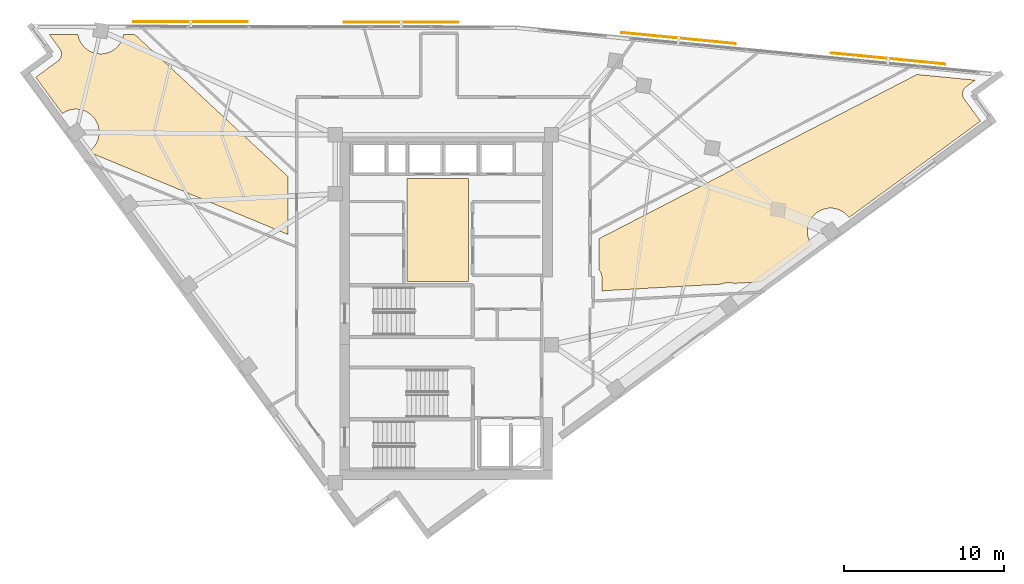
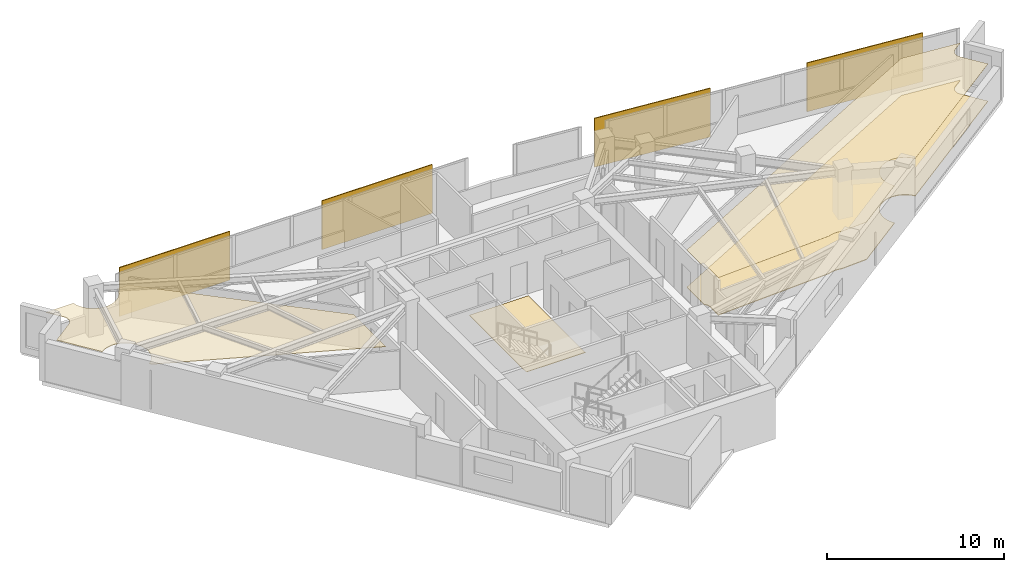
# One storey, part 13 of 13: 4 coverings, 4 shading devices.
"""IFC4 building model written with IfcOpenShell, lengths in metres."""

from ifc_helpers import new_model, si_unit, direction, frame, origin, origin_2d, place, context, subcontext, project, spatial, polyline, rectangle, outline, extrude, material, layer, layer_set, type_object, element, save


model = new_model("IFC4")

# Units and contexts
model_context = context("Model", 3, precision=1e-05, world=origin(), true_north=direction((0.0, 1.0)))
body_context = subcontext(model_context, "Body", "Model", "MODEL_VIEW")
ifc_project = project(units=[si_unit("LENGTHUNIT", "METRE"), si_unit("AREAUNIT", "SQUARE_METRE"), si_unit("VOLUMEUNIT", "CUBIC_METRE"), si_unit("PLANEANGLEUNIT", "RADIAN"), si_unit("MASSUNIT", "GRAM", prefix="KILO")], contexts=[model_context])

# Site, building, storey
site_placement = place(None, origin())
site = spatial("IfcSite", under=ifc_project, at=site_placement, CompositionType="ELEMENT")
building_placement = place(site_placement, origin())
building = spatial("IfcBuilding", under=site, at=building_placement, Name="Narakoshi Arena Tower", CompositionType="ELEMENT")
storey_placement = place(building_placement, frame((0.0, 0.0, 246.659912109375)))
storey = spatial("IfcBuildingStorey", under=building, at=storey_placement, Name="L67", CompositionType="ELEMENT", Elevation=246.659912109375)

# Coverings
ifc_material_1 = material(Name="Acoustic mineral-fibre ceiling tile")
ifc_layer_1 = layer(ifc_material_1, 0.02001953125)
ifc_layer_set_1 = layer_set([ifc_layer_1], Name="Acoustic mineral-fibre ceiling tile")
covering_type_1 = type_object("IfcCoveringType", Name="COV-CLG-AC20", PredefinedType="CEILING", material=ifc_layer_set_1)
covering_1_placement = place(storey_placement, frame((0.0, 0.0, 2.590087890625)))
element("IfcCovering", 1, at=covering_1_placement, inside=storey, type_object=covering_type_1, Name="L67 Suspended Acoustic Ceiling 1", PredefinedType="CEILING", context=body_context, shape_type="SweptSolid", body=[
    extrude(outline(polyline([(88.516845703125, 49.984375), (108.45068359375, 60.276123046875), (112.09228515625, 59.921875), (111.5283203125, 59.50830078125), (111.486328125, 59.474365234375), (111.447998046875, 59.436279296875), (111.41357421875, 59.394775390625), (111.38330078125, 59.35009765625), (111.357666015625, 59.302734375), (111.336669921875, 59.2529296875), (111.32080078125, 59.201416015625), (111.309814453125, 59.1484375), (111.30419921875, 59.0947265625), (111.303955078125, 59.040771484375), (111.30908203125, 58.987060546875), (111.3193359375, 58.93408203125), (111.334716796875, 58.88232421875), (111.35498046875, 58.83251953125), (111.380126953125, 58.78466796875), (111.409912109375, 58.739501953125), (112.426025390625, 57.353515625), (104.194580078125, 51.318115234375), (104.1533203125, 51.37353515625), (104.057861328125, 51.47900390625), (103.952392578125, 51.574462890625), (103.838134765625, 51.6591796875), (103.716064453125, 51.732421875), (103.58740234375, 51.793212890625), (103.453369140625, 51.84130859375), (103.3154296875, 51.875732421875), (103.174560546875, 51.896484375), (103.032470703125, 51.903564453125), (102.890380859375, 51.896484375), (102.74951171875, 51.875732421875), (102.611572265625, 51.84130859375), (102.4775390625, 51.793212890625), (102.34912109375, 51.732421875), (102.226806640625, 51.6591796875), (102.112548828125, 51.574462890625), (102.007080078125, 51.47900390625), (101.91162109375, 51.37353515625), (101.826904296875, 51.25927734375), (101.753662109375, 51.13720703125), (101.69287109375, 51.008544921875), (101.64501953125, 50.87451171875), (101.6103515625, 50.736572265625), (101.589599609375, 50.595703125), (101.58251953125, 50.45361328125), (101.589599609375, 50.3115234375), (101.6103515625, 50.170654296875), (101.64501953125, 50.03271484375), (101.69287109375, 49.898681640625), (101.753662109375, 49.77001953125), (101.826904296875, 49.64794921875), (101.858642578125, 49.605224609375), (98.690673828125, 47.282470703125), (97.01611328125, 47.18798828125), (96.9462890625, 47.20556640625), (96.805419921875, 47.2265625), (96.663330078125, 47.2333984375), (96.521240234375, 47.2265625), (96.380615234375, 47.20556640625), (96.242431640625, 47.171142578125), (96.15478515625, 47.1396484375), (88.699951171875, 46.72021484375), (88.699951171875, 47.6201171875), (88.697509765625, 47.673828125), (88.689453125, 47.727294921875), (88.67626953125, 47.77978515625), (88.658203125, 47.83056640625), (88.635009765625, 47.87939453125), (88.607421875, 47.925537109375), (88.5751953125, 47.968994140625), (88.538818359375, 48.0087890625), (88.516845703125, 48.02880859375), (88.516845703125, 49.984375)])), origin(), (0.0, 0.0, 1.0), 0.02001953125),
])
ifc_material_2 = material(Name="Slatted oak acoustic timber baffle", Category="wood")
ifc_layer_2 = layer(ifc_material_2, 0.034912109375)
ifc_layer_set_2 = layer_set([ifc_layer_2], Name="Slatted oak acoustic timber baffle")
covering_type_2 = type_object("IfcCoveringType", Name="COV-CLG-WD35", PredefinedType="CEILING", material=ifc_layer_set_2)
covering_2_placement = place(storey_placement, frame((0.0, 0.0, 2.5751953125)))
element("IfcCovering", 2, at=covering_2_placement, inside=storey, type_object=covering_type_2, Name="L67 Suspended Acoustic Ceiling 2", PredefinedType="CEILING", context=body_context, shape_type="SweptSolid", body=[
    extrude(outline(polyline([(69.033203125, 53.8916015625), (69.033203125, 50.25244140625), (56.72216796875, 55.35009765625), (56.61767578125, 55.492431640625), (56.673095703125, 55.533447265625), (56.778564453125, 55.629150390625), (56.874267578125, 55.734619140625), (56.958984375, 55.848876953125), (57.031982421875, 55.970947265625), (57.093017578125, 56.099609375), (57.140869140625, 56.2333984375), (57.17529296875, 56.37158203125), (57.1962890625, 56.51220703125), (57.203369140625, 56.654296875), (57.1962890625, 56.79638671875), (57.17529296875, 56.937255859375), (57.140869140625, 57.0751953125), (57.093017578125, 57.209228515625), (57.031982421875, 57.337890625), (56.958984375, 57.4599609375), (56.874267578125, 57.57421875), (56.778564453125, 57.6796875), (56.673095703125, 57.775390625), (56.558837890625, 57.860107421875), (56.436767578125, 57.93310546875), (56.30810546875, 57.993896484375), (56.17431640625, 58.0419921875), (56.0361328125, 58.076416015625), (55.8955078125, 58.097412109375), (55.75341796875, 58.1044921875), (55.611083984375, 58.097412109375), (55.470458984375, 58.076416015625), (55.33251953125, 58.0419921875), (55.198486328125, 57.993896484375), (55.06982421875, 57.93310546875), (54.94775390625, 57.860107421875), (54.90478515625, 57.828369140625), (53.23779296875, 60.102294921875), (54.62353515625, 61.118408203125), (54.66552734375, 61.152587890625), (54.703857421875, 61.1904296875), (54.73828125, 61.23193359375), (54.7685546875, 61.276611328125), (54.794189453125, 61.32421875), (54.815185546875, 61.373779296875), (54.831298828125, 61.425537109375), (54.842041015625, 61.478271484375), (54.84765625, 61.531982421875), (54.847900390625, 61.5859375), (54.843017578125, 61.6396484375), (54.83251953125, 61.692626953125), (54.8173828125, 61.744384765625), (54.796875, 61.79443359375), (54.771728515625, 61.84228515625), (54.741943359375, 61.88720703125), (54.08984375, 62.7763671875), (55.8818359375, 62.773193359375), (55.88720703125, 62.73779296875), (55.921630859375, 62.599609375), (55.969482421875, 62.4658203125), (56.030517578125, 62.337158203125), (56.103515625, 62.215087890625), (56.188232421875, 62.1005859375), (56.283935546875, 61.995361328125), (56.389404296875, 61.899658203125), (56.503662109375, 61.81494140625), (56.625732421875, 61.74169921875), (56.75439453125, 61.680908203125), (56.88818359375, 61.633056640625), (57.0263671875, 61.598388671875), (57.1669921875, 61.57763671875), (57.30908203125, 61.570556640625), (57.451416015625, 61.57763671875), (57.592041015625, 61.598388671875), (57.72998046875, 61.633056640625), (57.864013671875, 61.680908203125), (57.99267578125, 61.74169921875), (58.11474609375, 61.81494140625), (58.22900390625, 61.899658203125), (58.33447265625, 61.995361328125), (58.43017578125, 62.1005859375), (58.514892578125, 62.215087890625), (58.587890625, 62.337158203125), (58.648681640625, 62.4658203125), (58.69677734375, 62.599609375), (58.731201171875, 62.73779296875), (58.73583984375, 62.76806640625), (59.464111328125, 62.7666015625), (69.033203125, 53.8916015625)])), origin(), (0.0, 0.0, 1.0), 0.034912109375),
])
ifc_material_3 = material(Name="Raised steel access floor panel", Category="steel")
ifc_layer_3 = layer(ifc_material_3, 0.044921875)
ifc_layer_set_3 = layer_set([ifc_layer_3], Name="Raised steel access floor panel")
covering_type_3 = type_object("IfcCoveringType", Name="COV-FLR-RF45", PredefinedType="FLOORING", material=ifc_layer_set_3)
covering_3_placement = place(storey_placement, origin())
element("IfcCovering", 3, at=covering_3_placement, inside=storey, type_object=covering_type_3, Name="L67 Raised Steel Access Floor", PredefinedType="FLOORING", context=body_context, shape_type="SweptSolid", body=[
    extrude(outline(polyline([(88.516845703125, 49.984375), (108.45068359375, 60.276123046875), (112.09228515625, 59.921875), (111.5283203125, 59.50830078125), (111.486328125, 59.474365234375), (111.447998046875, 59.436279296875), (111.41357421875, 59.394775390625), (111.38330078125, 59.35009765625), (111.357666015625, 59.302734375), (111.336669921875, 59.2529296875), (111.32080078125, 59.201416015625), (111.309814453125, 59.1484375), (111.30419921875, 59.0947265625), (111.303955078125, 59.040771484375), (111.30908203125, 58.987060546875), (111.3193359375, 58.93408203125), (111.334716796875, 58.88232421875), (111.35498046875, 58.83251953125), (111.380126953125, 58.78466796875), (111.409912109375, 58.739501953125), (112.426025390625, 57.353515625), (104.194580078125, 51.318115234375), (104.1533203125, 51.37353515625), (104.057861328125, 51.47900390625), (103.952392578125, 51.574462890625), (103.838134765625, 51.6591796875), (103.716064453125, 51.732421875), (103.58740234375, 51.793212890625), (103.453369140625, 51.84130859375), (103.3154296875, 51.875732421875), (103.174560546875, 51.896484375), (103.032470703125, 51.903564453125), (102.890380859375, 51.896484375), (102.74951171875, 51.875732421875), (102.611572265625, 51.84130859375), (102.4775390625, 51.793212890625), (102.34912109375, 51.732421875), (102.226806640625, 51.6591796875), (102.112548828125, 51.574462890625), (102.007080078125, 51.47900390625), (101.91162109375, 51.37353515625), (101.826904296875, 51.25927734375), (101.753662109375, 51.13720703125), (101.69287109375, 51.008544921875), (101.64501953125, 50.87451171875), (101.6103515625, 50.736572265625), (101.589599609375, 50.595703125), (101.58251953125, 50.45361328125), (101.589599609375, 50.3115234375), (101.6103515625, 50.170654296875), (101.64501953125, 50.03271484375), (101.69287109375, 49.898681640625), (101.753662109375, 49.77001953125), (101.826904296875, 49.64794921875), (101.858642578125, 49.605224609375), (98.690673828125, 47.282470703125), (97.01611328125, 47.18798828125), (96.9462890625, 47.20556640625), (96.805419921875, 47.2265625), (96.663330078125, 47.2333984375), (96.521240234375, 47.2265625), (96.380615234375, 47.20556640625), (96.242431640625, 47.171142578125), (96.15478515625, 47.1396484375), (88.699951171875, 46.72021484375), (88.699951171875, 47.6201171875), (88.697509765625, 47.673828125), (88.689453125, 47.727294921875), (88.67626953125, 47.77978515625), (88.658203125, 47.83056640625), (88.635009765625, 47.87939453125), (88.607421875, 47.925537109375), (88.5751953125, 47.968994140625), (88.538818359375, 48.0087890625), (88.516845703125, 48.02880859375), (88.516845703125, 49.984375)])), origin(), (0.0, 0.0, 1.0), 0.045166015625),
])
ifc_material_4 = material(Name="Honed granite stone paving", Category="masonry")
ifc_layer_4 = layer(ifc_material_4, 0.030029296875)
ifc_layer_set_4 = layer_set([ifc_layer_4], Name="Honed granite stone paving")
covering_type_4 = type_object("IfcCoveringType", Name="COV-FLR-ST30", PredefinedType="FLOORING", material=ifc_layer_set_4)
covering_4_placement = place(storey_placement, origin())
element("IfcCovering", 4, at=covering_4_placement, inside=storey, type_object=covering_type_4, Name="L67 Lift Lobby Granite Flooring", PredefinedType="FLOORING", context=body_context, shape_type="SweptSolid", body=[
    extrude(outline(polyline([(76.5, 47.300048828125), (80.35009765625, 47.300048828125), (80.35009765625, 53.75), (76.5, 53.75), (76.5, 47.300048828125)])), origin(), (0.0, 0.0, 1.0), 0.030029296875),
])

# Shading devices
ifc_material_5 = material(Name="Perforated bronze ceramic-metal composite")
ifc_layer_5 = layer(ifc_material_5, 0.06005859375)
ifc_layer_set_5 = layer_set([ifc_layer_5], Name="Perforated bronze ceramic-metal composite")
shading_device_type = type_object("IfcShadingDeviceType", Name="SHD-SCR-BRZ2", PredefinedType="USERDEFINED", material=ifc_layer_set_5)
for number, where, z_axis, x_axis, name in (
    (5, (106.64697265625, 61.275390625, 0.0), (0.0, 0.0, 1.0), (-0.995298664587, 0.096853333819, 0.0), "L67 Perforated Bronze Solar Screen 1-1"),
    (6, (93.509033203125, 62.553955078125, 0.0), (0.0, 0.0, 1.0), (-0.995298664587, 0.096853333819, 0.0), "L67 Perforated Bronze Solar Screen 1-2"),
    (7, (76.1328125, 63.556396484375, 0.0), (0.0, 0.0, 1.0), (-0.999998352629, 0.001815141425, 0.0), "L67 Perforated Bronze Solar Screen 2-1"),
    (8, (62.932861328125, 63.580322265625, 0.0), (0.0, 0.0, 1.0), (-0.999998352629, 0.001815141425, 0.0), "L67 Perforated Bronze Solar Screen 2-2"),
):
    element("IfcShadingDevice", number, at=place(storey_placement, frame(where, z_axis=z_axis, x_axis=x_axis)), inside=storey, type_object=shading_device_type, Name=name, ObjectType="SOLAR SCREEN", PredefinedType="USERDEFINED", context=body_context, shape_type="SweptSolid", body=[
        extrude(rectangle(XDim=7.199951171875, YDim=0.06005859375, at=origin_2d()), origin(), (0.0, 0.0, 1.0), 3.3701171875),
    ])

save(model, "model.ifc")
